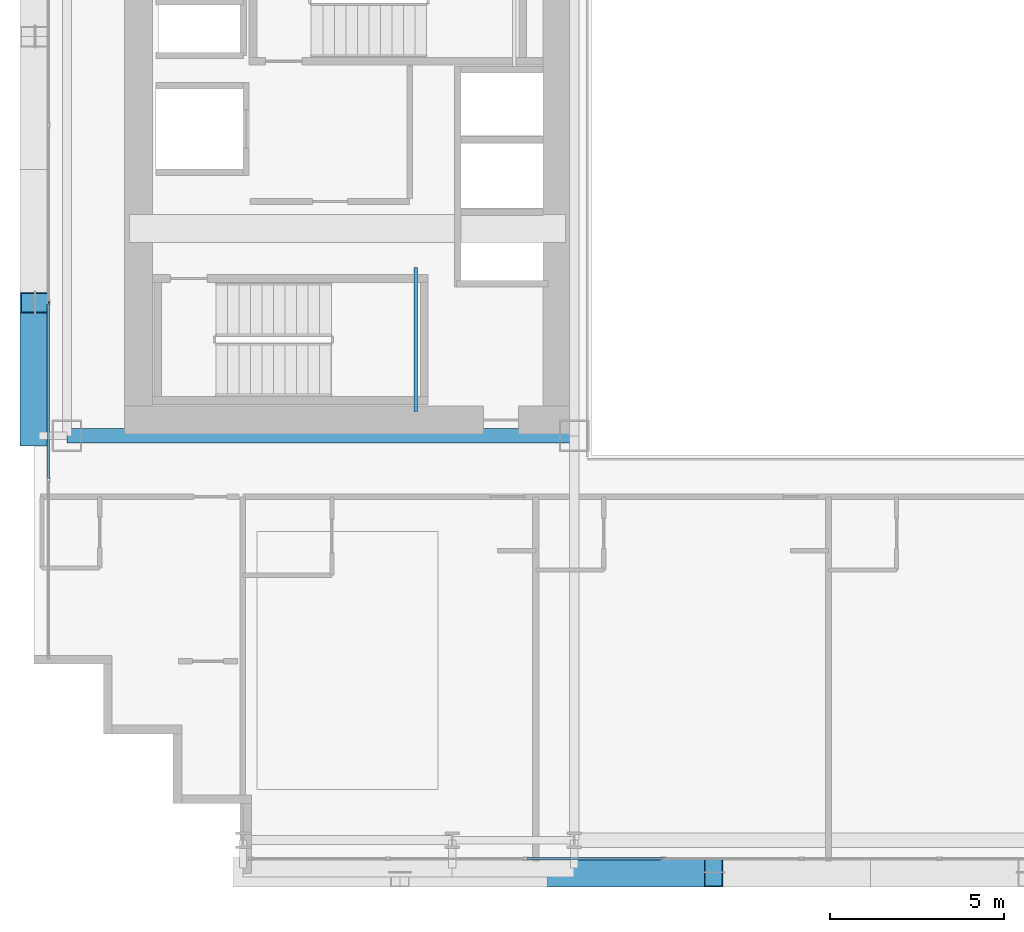
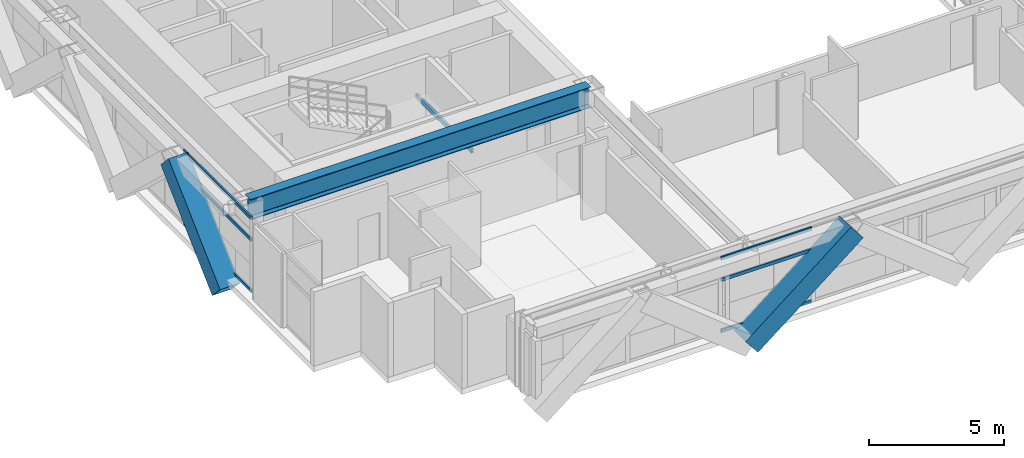
# One storey, part 4 of 35: 8 members, 2 beams, 2 elements without a shape of their own.
"""IFC4 building model written with IfcOpenShell, lengths in metres."""

import ifcopenshell
import ifcopenshell.guid

model = None  # the IFC model being written
_history = None  # IfcOwnerHistory: only IFC2X3 demands one
_inside = {}  # id of a spatial element -> (the spatial element, [elements in it])
_under = {}  # id of a project, library or spatial element -> (it, [spatial elements below it])
_declared = {}  # id of a project -> (the project, [libraries it declares])
_typed = {}  # id of a type object -> (the type object, [elements of that type])
_made_of = {}  # id of a material, layer set ... -> (it, [elements and type objects made of it])


def new_model(schema):
    """Start an empty IFC model of exactly this schema.

    Asked for "IFC4X3", IfcOpenShell would pick the latest addendum, in which some entities
    have other attributes; the version numbers below select the first issue.
    IFC2X3 requires an IfcOwnerHistory on every rooted entity: one is made here for all.
    """
    global model, _history
    if schema == "IFC4X3":
        model = ifcopenshell.file(schema_version=(4, 3, 0, 0))
    else:
        model = ifcopenshell.file(schema=schema)
    _inside.clear()
    _under.clear()
    _declared.clear()
    _typed.clear()
    _made_of.clear()
    _history = None
    if model.schema == "IFC2X3":
        org = make("IfcOrganization", Name="unknown")
        user = make(
            "IfcPersonAndOrganization",
            ThePerson=make("IfcPerson", FamilyName="unknown"),
            TheOrganization=org,
        )
        app = make(
            "IfcApplication",
            ApplicationDeveloper=org,
            Version="unknown",
            ApplicationFullName="unknown",
            ApplicationIdentifier="unknown",
        )
        _history = make(
            "IfcOwnerHistory",
            OwningUser=user,
            OwningApplication=app,
            ChangeAction="ADDED",
            CreationDate=0,
        )
    return model


def make(cls, **values):
    """One entity of the class cls with the attributes given. An attribute that is None is left unset."""
    return model.create_entity(
        cls, **{name: value for name, value in values.items() if value is not None}
    )


def rooted(cls, **values):
    """An entity with a GlobalId (a new one), such as an element, a storey or a relation."""
    return make(cls, GlobalId=ifcopenshell.guid.new(), OwnerHistory=_history, **values)


def si_unit(unit_type, name, prefix=None):
    """IfcSIUnit, for example si_unit("LENGTHUNIT", "METRE", prefix="MILLI")."""
    return make("IfcSIUnit", UnitType=unit_type, Prefix=prefix, Name=name)


def assignment(units):
    """IfcUnitAssignment: the units of a project."""
    return None if units is None else make("IfcUnitAssignment", Units=units)


def point(xyz):
    """IfcCartesianPoint."""
    return None if xyz is None else make("IfcCartesianPoint", Coordinates=xyz)


def direction(xyz):
    """IfcDirection."""
    return None if xyz is None else make("IfcDirection", DirectionRatios=xyz)


def frame(location, z_axis=None, x_axis=None):
    """IfcAxis2Placement3D, a coordinate frame: its origin and axes. An axis left out is left unset."""
    return make(
        "IfcAxis2Placement3D",
        Location=point(location),
        Axis=direction(z_axis),
        RefDirection=direction(x_axis),
    )


def frame_2d(location, x_axis=None):
    """IfcAxis2Placement2D, a coordinate frame in the plane: its origin and x axis."""
    return make(
        "IfcAxis2Placement2D", Location=point(location), RefDirection=direction(x_axis)
    )


def origin():
    """The frame at (0, 0, 0) with its axes left unset."""
    return frame((0.0, 0.0, 0.0))


def origin_2d():
    """The frame at (0, 0) in the plane with its x axis left unset."""
    return frame_2d((0.0, 0.0))


def place(relative_to, where):
    """IfcLocalPlacement: puts the frame where relative to a parent placement (None: the world)."""
    return make(
        "IfcLocalPlacement", PlacementRelTo=relative_to, RelativePlacement=where
    )


def context(
    kind, dimensions, precision=None, world=None, true_north=None, identifier=None
):
    """IfcGeometricRepresentationContext, for example the 3D "Model" context."""
    return make(
        "IfcGeometricRepresentationContext",
        ContextIdentifier=identifier,
        ContextType=kind,
        CoordinateSpaceDimension=dimensions,
        Precision=precision,
        WorldCoordinateSystem=world,
        TrueNorth=true_north,
    )


def subcontext(parent, identifier, kind, view, scale=None):
    """IfcGeometricRepresentationSubContext, for example "Body" below "Model"."""
    return make(
        "IfcGeometricRepresentationSubContext",
        ContextIdentifier=identifier,
        ContextType=kind,
        ParentContext=parent,
        TargetScale=scale,
        TargetView=view,
    )


def project(units=None, contexts=None):
    """IfcProject with its units and contexts."""
    return rooted(
        "IfcProject",
        Name="project",
        RepresentationContexts=contexts,
        UnitsInContext=assignment(units),
    )


def spatial(cls, under=None, at=None, **own):
    """A site, building, storey or space (cls), placed at a placement, below another one or the project."""
    s = rooted(cls, ObjectPlacement=at, **own)
    if under is not None:
        _under.setdefault(under.id(), (under, []))[1].append(s)
    return s


def profile(cls, at=None, kind="AREA", **sizes):
    """A parametric profile (cls). Its sizes go by their IFC names, for example OverallWidth=200.0."""
    return make(cls, ProfileType=kind, Position=at, **sizes)


def hollow_rectangle(**sizes):
    """IfcRectangleHollowProfileDef."""
    return profile("IfcRectangleHollowProfileDef", **sizes)


def i_section(**sizes):
    """IfcIShapeProfileDef."""
    return profile("IfcIShapeProfileDef", **sizes)


def extrude(swept, where, along, depth):
    """IfcExtrudedAreaSolid: the profile swept, set in the frame where, extruded along a direction by depth."""
    return make(
        "IfcExtrudedAreaSolid",
        SweptArea=swept,
        Position=where,
        ExtrudedDirection=direction(along),
        Depth=depth,
    )


def shape(context_of_items, identifier, shape_type, items):
    """IfcShapeRepresentation: the items that make up one representation, for example the "Body"."""
    return make(
        "IfcShapeRepresentation",
        ContextOfItems=context_of_items,
        RepresentationIdentifier=identifier,
        RepresentationType=shape_type,
        Items=items,
    )


def source(mapping_origin, context_of_items, identifier, shape_type, items):
    """IfcRepresentationMap: a shape defined once, which mapped items show again and again."""
    return make(
        "IfcRepresentationMap",
        MappingOrigin=mapping_origin,
        MappedRepresentation=shape(context_of_items, identifier, shape_type, items),
    )


def transform(
    local_origin,
    x_axis=None,
    y_axis=None,
    z_axis=None,
    scale=None,
    scale2=None,
    scale3=None,
    uniform=True,
):
    """IfcCartesianTransformationOperator3D, or its non-uniform kind. x_axis, y_axis, z_axis: its Axis1, 2, 3."""
    if uniform:
        return make(
            "IfcCartesianTransformationOperator3D",
            Axis1=direction(x_axis),
            Axis2=direction(y_axis),
            LocalOrigin=point(local_origin),
            Scale=scale,
            Axis3=direction(z_axis),
        )
    return make(
        "IfcCartesianTransformationOperator3DnonUniform",
        Axis1=direction(x_axis),
        Axis2=direction(y_axis),
        LocalOrigin=point(local_origin),
        Scale=scale,
        Axis3=direction(z_axis),
        Scale2=scale2,
        Scale3=scale3,
    )


def mapped(mapping_source, mapping_target):
    """IfcMappedItem: shows the shape of a source again, moved by a transform."""
    return make(
        "IfcMappedItem", MappingSource=mapping_source, MappingTarget=mapping_target
    )


def material(Name=None, Category=None):
    """IfcMaterial."""
    return make("IfcMaterial", Name=Name, Category=Category)


def layer(
    of_material, thickness, ventilated=None, Name=None, Category=None, Priority=None
):
    """IfcMaterialLayer: one layer of a wall or slab, of a material (None: an air gap)."""
    return make(
        "IfcMaterialLayer",
        Material=of_material,
        LayerThickness=thickness,
        IsVentilated=ventilated,
        Name=Name,
        Category=Category,
        Priority=Priority,
    )


def layer_set(layers, Name=None):
    """IfcMaterialLayerSet."""
    return make("IfcMaterialLayerSet", MaterialLayers=layers, LayerSetName=Name)


def material_profile(
    of_material, cross_section, Name=None, Category=None, Priority=None
):
    """IfcMaterialProfile: a cross section and its material."""
    return make(
        "IfcMaterialProfile",
        Name=Name,
        Material=of_material,
        Profile=cross_section,
        Priority=Priority,
        Category=Category,
    )


def profile_set(profiles, Name=None, composite=None):
    """IfcMaterialProfileSet."""
    return make(
        "IfcMaterialProfileSet",
        Name=Name,
        MaterialProfiles=profiles,
        CompositeProfile=composite,
    )


def made_of(thing, what):
    """Note that an element or type object is made of a material, layer set ...; save() writes the relation."""
    if what is not None:
        _made_of.setdefault(what.id(), (what, []))[1].append(thing)
    return thing


def type_object(cls, material=None, **own):
    """A type object (cls), such as IfcWallType, which elements share."""
    return made_of(rooted(cls, **own), material)


def element(
    cls,
    number,
    at=None,
    inside=None,
    cuts=None,
    type_object=None,
    material=None,
    context=None,
    identifier="Body",
    shape_type=None,
    held_by="IfcProductDefinitionShape",
    body=None,
    shapes=None,
    **own,
):
    """One element of the class cls, such as IfcWall. Its Tag is "e" and its number.

    at: its placement. inside: the storey or other place that contains it. cuts: it is an
    opening in that element (IfcRelVoidsElement). A single representation is given by context,
    identifier, shape_type and body (its items); several are given by shapes. held_by: the class
    of the entity that holds the representations. save() writes the other relations.
    """
    e = rooted(cls, Tag="e%d" % number, ObjectPlacement=at, **own)
    if body is not None:
        shapes = [shape(context, identifier, shape_type, body)]
    if shapes is not None:
        e.Representation = make(held_by, Representations=shapes)
    if inside is not None:
        _inside.setdefault(inside.id(), (inside, []))[1].append(e)
    if cuts is not None:
        rooted(
            "IfcRelVoidsElement", RelatingBuildingElement=cuts, RelatedOpeningElement=e
        )
    if type_object is not None:
        _typed.setdefault(type_object.id(), (type_object, []))[1].append(e)
    return made_of(e, material)


def aggregate(whole, parts):
    """IfcRelAggregates: a whole, such as a stair, and the parts it consists of."""
    return rooted("IfcRelAggregates", RelatingObject=whole, RelatedObjects=parts)


def save(model, path):
    """Write the relations noted so far, then the file.

    IfcRelAggregates (storeys below a building ...), IfcRelContainedInSpatialStructure (elements
    in a storey), IfcRelDefinesByType, IfcRelAssociatesMaterial and IfcRelDeclares: one each for
    every whole, place, type object, material and project.
    """
    for whole, parts in _under.values():
        aggregate(whole, parts)
    for where, things in _inside.values():
        rooted(
            "IfcRelContainedInSpatialStructure",
            RelatedElements=things,
            RelatingStructure=where,
        )
    for kind, things in _typed.values():
        rooted("IfcRelDefinesByType", RelatedObjects=things, RelatingType=kind)
    for what, things in _made_of.values():
        rooted("IfcRelAssociatesMaterial", RelatedObjects=things, RelatingMaterial=what)
    for by, libraries in _declared.values():
        rooted("IfcRelDeclares", RelatingContext=by, RelatedDefinitions=libraries)
    model.write(path)


model = new_model("IFC4")

# Units and contexts
model_context = context("Model", 3, precision=1e-05, world=origin(), true_north=direction((0.0, 1.0)))
body_context = subcontext(model_context, "Body", "Model", "MODEL_VIEW")
ifc_project = project(units=[si_unit("LENGTHUNIT", "METRE"), si_unit("AREAUNIT", "SQUARE_METRE"), si_unit("VOLUMEUNIT", "CUBIC_METRE"), si_unit("PLANEANGLEUNIT", "RADIAN"), si_unit("MASSUNIT", "GRAM", prefix="KILO")], contexts=[model_context])

# Site, building, storey
site_placement = place(None, origin())
site = spatial("IfcSite", under=ifc_project, at=site_placement, CompositionType="ELEMENT")
building_placement = place(site_placement, origin())
building = spatial("IfcBuilding", under=site, at=building_placement, Name="Ocotamira Hotel", CompositionType="ELEMENT")
storey_placement = place(building_placement, frame((0.0, 0.0, 56.39990234375)))
storey = spatial("IfcBuildingStorey", under=building, at=storey_placement, Name="L13", CompositionType="ELEMENT", Elevation=56.39990234375)

# Beams
ifc_material_1 = material(Name="Steel ASTM A500 Grade C", Category="steel")
ifc_material_profile_1 = material_profile(ifc_material_1, hollow_rectangle(XDim=0.10009765625, YDim=0.199951171875, WallThickness=0.008056640625, at=origin_2d()), Name="HSS200X100X8")
ifc_profile_set_1 = profile_set([ifc_material_profile_1], Name="Steel ASTM A500 Grade C")
beam_type_1 = type_object("IfcBeamType", Name="BM-STLDG-HSS200", PredefinedType="BEAM", material=ifc_profile_set_1)
shared_shape_1 = source(origin(), body_context, "Body", "SweptSolid", [
    extrude(hollow_rectangle(XDim=0.10009765625, YDim=0.199951171875, WallThickness=0.008056640625, at=origin_2d()), origin(), (0.0, 0.0, 1.0), 4.1201171875),
])
beam_1_placement = place(storey_placement, frame((18.949951171875, 15.25, 1.5), z_axis=(0.0, 1.0, 0.0), x_axis=(-1.0, 0.0, 0.0)))
element("IfcBeam", 1, at=beam_1_placement, inside=storey, type_object=beam_type_1, Name="L13 Stair ST-1 Landing Bearer 1", PredefinedType="BEAM", context=body_context, shape_type="MappedRepresentation", body=[
    mapped(shared_shape_1, transform((0.0, 0.0, 0.0), scale=1.0)),
])
ifc_material_2 = material(Name="Steel ASTM A992 Grade 50", Category="steel")
ifc_material_profile_2 = material_profile(ifc_material_2, i_section(OverallWidth=0.41796875, OverallDepth=0.927001953125, WebThickness=0.019287109375, FlangeThickness=0.031982421875, FilletRadius=0.02392578125, at=origin_2d()), Name="W36X231")
ifc_profile_set_2 = profile_set([ifc_material_profile_2], Name="Steel ASTM A992 Grade 50")
beam_type_2 = type_object("IfcBeamType", Name="BM-GIRD-W36X231", PredefinedType="BEAM", material=ifc_profile_set_2)
shared_shape_2 = source(origin(), body_context, "Body", "SweptSolid", [
    extrude(i_section(OverallWidth=0.41796875, OverallDepth=0.927001953125, WebThickness=0.019287109375, FlangeThickness=0.031982421875, FilletRadius=0.02392578125, at=origin_2d()), origin(), (0.0, 0.0, 1.0), 14.550048828125),
])
beam_2_placement = place(storey_placement, frame((8.949951171875, 14.550048828125, 2.88671875), z_axis=(1.0, 0.0, 0.0), x_axis=(0.0, 1.0, 0.0)))
element("IfcBeam", 2, at=beam_2_placement, inside=storey, type_object=beam_type_2, Name="L13 Girder Y14.55 X8.95-23.5", PredefinedType="BEAM", context=body_context, shape_type="MappedRepresentation", body=[
    mapped(shared_shape_2, transform((0.0, 0.0, 0.0), scale=1.0)),
])

# Members
ifc_material_3 = material(Name="Pale-metal coated steel ASTM A913 Grade 65", Category="steel")
ifc_material_profile_3 = material_profile(ifc_material_3, hollow_rectangle(XDim=0.85009765625, YDim=0.85009765625, WallThickness=0.035888671875, at=origin_2d()), Name="BOX850X850X36")
ifc_profile_set_3 = profile_set([ifc_material_profile_3], Name="Pale-metal coated steel ASTM A913 Grade 65")
member_type_1 = type_object("IfcMemberType", Name="MEM-EXO-BOX850", PredefinedType="BRACE", material=ifc_profile_set_3)
shared_shape_3 = source(origin(), body_context, "Body", "SweptSolid", [
    extrude(hollow_rectangle(XDim=0.85009765625, YDim=0.85009765625, WallThickness=0.035888671875, at=origin_2d()), origin(), (0.0, 0.0, 1.0), 5.24658203125),
])
member_1_placement = place(storey_placement, frame((8.030029296875, 14.550048828125, -0.5), z_axis=(0.0, 0.727442733726, 0.686168397078), x_axis=(-1.0, 0.0, 0.0)))
element("IfcMember", 3, at=member_1_placement, inside=storey, type_object=member_type_1, Name="L13 Exoskeleton Diagrid W0.1", PredefinedType="BRACE", context=body_context, shape_type="MappedRepresentation", body=[
    mapped(shared_shape_3, transform((0.0, 0.0, 0.0), scale=1.0)),
])
shared_shape_4 = source(origin(), body_context, "Body", "SweptSolid", [
    extrude(hollow_rectangle(XDim=0.85009765625, YDim=0.85009765625, WallThickness=0.035888671875, at=origin_2d()), origin(), (0.0, 0.0, 1.0), 5.762939453125),
])
member_2_placement = place(storey_placement, frame((23.0, 2.030029296875, -0.5), z_axis=(0.780860543151, 0.0, 0.624705380279), x_axis=(0.0, 1.0, 0.0)))
element("IfcMember", 4, at=member_2_placement, inside=storey, type_object=member_type_1, Name="L13 Exoskeleton Diagrid S1.1", PredefinedType="BRACE", context=body_context, shape_type="MappedRepresentation", body=[
    mapped(shared_shape_4, transform((0.0, 0.0, 0.0), scale=1.0)),
])

# Curtain wall, members
ifc_material_4 = material(Name="Anodised pale-metal aluminium and solar glass", Category="aluminium")
ifc_layer = layer(ifc_material_4, 0.179931640625)
ifc_layer_set = layer_set([ifc_layer], Name="Anodised pale-metal aluminium and solar glass")
curtain_wall_type = type_object("IfcCurtainWallType", Name="CW-SYS2-Z1", PredefinedType="NOTDEFINED", material=ifc_layer_set)
curtain_wall_1_placement = place(storey_placement, origin())
curtain_wall_1 = element("IfcCurtainWall", 5, at=curtain_wall_1_placement, inside=storey, type_object=curtain_wall_type, Name="L13 Curtain Wall CW-2 CW-L13-S1", PredefinedType="NOTDEFINED")
ifc_material_5 = material(Name="Anodised pale-metal aluminium 6063-T6", Category="aluminium")
ifc_material_profile_4 = material_profile(ifc_material_5, hollow_rectangle(XDim=0.074951171875, YDim=0.14990234375, WallThickness=0.006103515625, at=origin_2d()), Name="HSS150X75X6")
ifc_profile_set_4 = profile_set([ifc_material_profile_4], Name="Anodised pale-metal aluminium 6063-T6")
member_type_2 = type_object("IfcMemberType", Name="CWT-150X75", PredefinedType="USERDEFINED", material=ifc_profile_set_4)
shared_shape_5 = source(origin(), body_context, "Body", "SweptSolid", [
    extrude(hollow_rectangle(XDim=0.074951171875, YDim=0.14990234375, WallThickness=0.006103515625, at=origin_2d()), origin(), (0.0, 0.0, 1.0), 3.87548828125),
])
member_3_placement = place(storey_placement, frame((22.151123046875, 2.419921875, 0.03759765625), z_axis=(1.0, 0.0, 0.0), x_axis=(0.0, 1.0, 0.0)))
member_3 = element("IfcMember", 6, at=member_3_placement, type_object=member_type_2, Name="CW-2 transom 3.1", ObjectType="TRANSOM", PredefinedType="USERDEFINED", context=body_context, shape_type="MappedRepresentation", body=[
    mapped(shared_shape_5, transform((0.0, 0.0, 0.0), scale=1.0)),
])
member_4_placement = place(storey_placement, frame((22.151123046875, 2.419921875, 2.35009765625), z_axis=(1.0, 0.0, 0.0), x_axis=(0.0, 1.0, 0.0)))
member_4 = element("IfcMember", 7, at=member_4_placement, type_object=member_type_2, Name="CW-2 transom 3.2", ObjectType="TRANSOM", PredefinedType="USERDEFINED", context=body_context, shape_type="MappedRepresentation", body=[
    mapped(shared_shape_5, transform((0.0, 0.0, 0.0), scale=1.0)),
])
member_5_placement = place(storey_placement, frame((22.151123046875, 2.419921875, 3.3125), z_axis=(1.0, 0.0, 0.0), x_axis=(0.0, 1.0, 0.0)))
member_5 = element("IfcMember", 8, at=member_5_placement, type_object=member_type_2, Name="CW-2 transom 3.3", ObjectType="TRANSOM", PredefinedType="USERDEFINED", context=body_context, shape_type="MappedRepresentation", body=[
    mapped(shared_shape_5, transform((0.0, 0.0, 0.0), scale=1.0)),
])
aggregate(curtain_wall_1, [member_3, member_4, member_5])

curtain_wall_2_placement = place(storey_placement, origin())
curtain_wall_2 = element("IfcCurtainWall", 9, at=curtain_wall_2_placement, inside=storey, type_object=curtain_wall_type, Name="L13 Curtain Wall CW-2 CW-L13-W", PredefinedType="NOTDEFINED")
shared_shape_6 = source(origin(), body_context, "Body", "SweptSolid", [
    extrude(hollow_rectangle(XDim=0.074951171875, YDim=0.14990234375, WallThickness=0.006103515625, at=origin_2d()), origin(), (0.0, 0.0, 1.0), 5.005859375),
])
member_6_placement = place(storey_placement, frame((8.419921875, 13.32568359375, 0.03759765625), z_axis=(0.0, 1.0, 0.0), x_axis=(-1.0, 0.0, 0.0)))
member_6 = element("IfcMember", 10, at=member_6_placement, type_object=member_type_2, Name="CW-2 transom 2.1", ObjectType="TRANSOM", PredefinedType="USERDEFINED", context=body_context, shape_type="MappedRepresentation", body=[
    mapped(shared_shape_6, transform((0.0, 0.0, 0.0), scale=1.0)),
])
member_7_placement = place(storey_placement, frame((8.419921875, 13.32568359375, 2.35009765625), z_axis=(0.0, 1.0, 0.0), x_axis=(-1.0, 0.0, 0.0)))
member_7 = element("IfcMember", 11, at=member_7_placement, type_object=member_type_2, Name="CW-2 transom 2.2", ObjectType="TRANSOM", PredefinedType="USERDEFINED", context=body_context, shape_type="MappedRepresentation", body=[
    mapped(shared_shape_6, transform((0.0, 0.0, 0.0), scale=1.0)),
])
member_8_placement = place(storey_placement, frame((8.419921875, 13.32568359375, 3.3125), z_axis=(0.0, 1.0, 0.0), x_axis=(-1.0, 0.0, 0.0)))
member_8 = element("IfcMember", 12, at=member_8_placement, type_object=member_type_2, Name="CW-2 transom 2.3", ObjectType="TRANSOM", PredefinedType="USERDEFINED", context=body_context, shape_type="MappedRepresentation", body=[
    mapped(shared_shape_6, transform((0.0, 0.0, 0.0), scale=1.0)),
])
aggregate(curtain_wall_2, [member_6, member_7, member_8])

save(model, "model.ifc")
